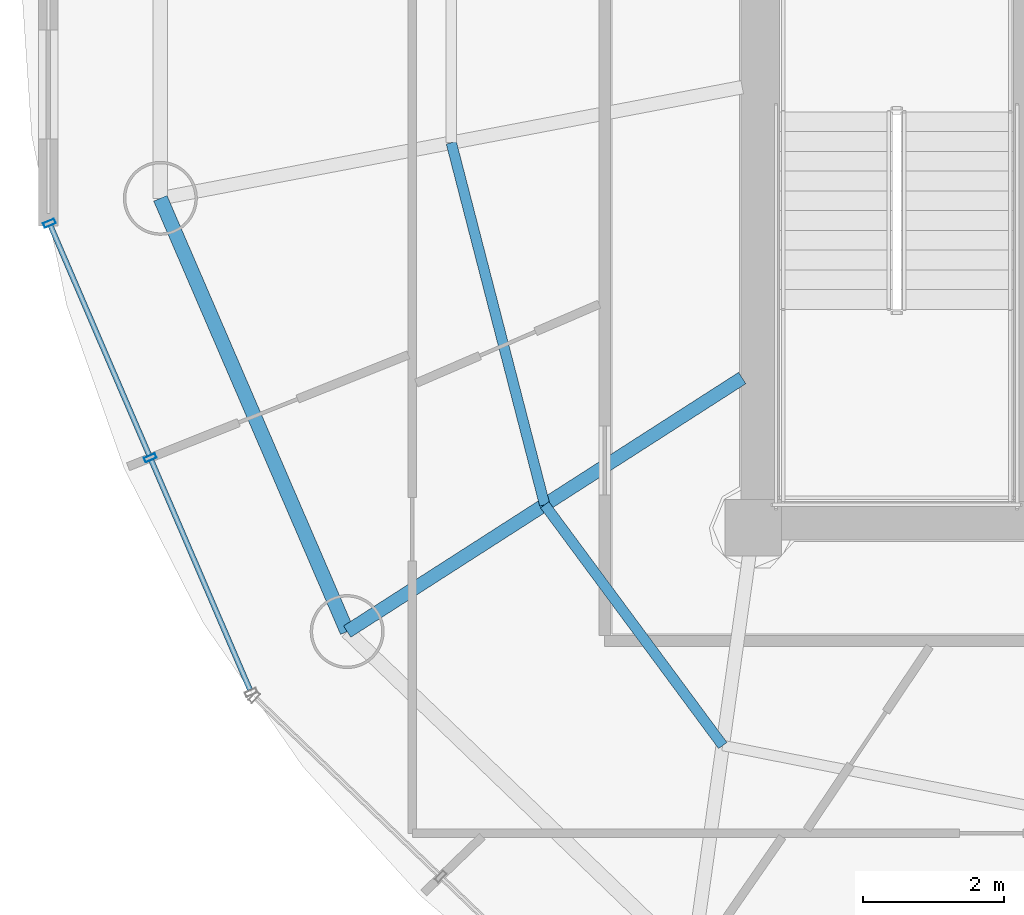
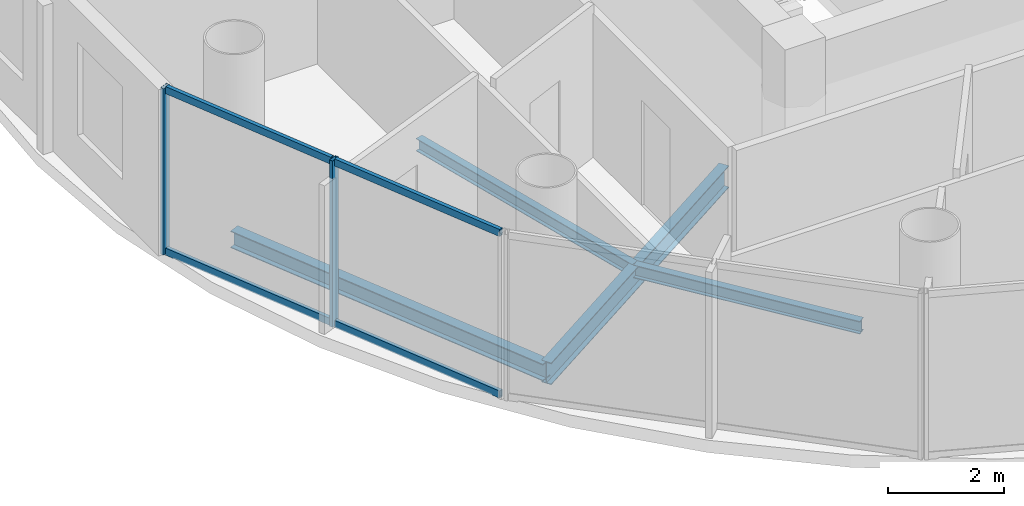
# One storey, part 4 of 23: 6 members, 4 beams, 1 element without a shape of its own.
"""IFC4 building model written with IfcOpenShell, lengths in metres."""

import ifcopenshell
import ifcopenshell.guid

model = None  # the IFC model being written
_history = None  # IfcOwnerHistory: only IFC2X3 demands one
_inside = {}  # id of a spatial element -> (the spatial element, [elements in it])
_under = {}  # id of a project, library or spatial element -> (it, [spatial elements below it])
_declared = {}  # id of a project -> (the project, [libraries it declares])
_typed = {}  # id of a type object -> (the type object, [elements of that type])
_made_of = {}  # id of a material, layer set ... -> (it, [elements and type objects made of it])


def new_model(schema):
    """Start an empty IFC model of exactly this schema.

    Asked for "IFC4X3", IfcOpenShell would pick the latest addendum, in which some entities
    have other attributes; the version numbers below select the first issue.
    IFC2X3 requires an IfcOwnerHistory on every rooted entity: one is made here for all.
    """
    global model, _history
    if schema == "IFC4X3":
        model = ifcopenshell.file(schema_version=(4, 3, 0, 0))
    else:
        model = ifcopenshell.file(schema=schema)
    _inside.clear()
    _under.clear()
    _declared.clear()
    _typed.clear()
    _made_of.clear()
    _history = None
    if model.schema == "IFC2X3":
        org = make("IfcOrganization", Name="unknown")
        user = make(
            "IfcPersonAndOrganization",
            ThePerson=make("IfcPerson", FamilyName="unknown"),
            TheOrganization=org,
        )
        app = make(
            "IfcApplication",
            ApplicationDeveloper=org,
            Version="unknown",
            ApplicationFullName="unknown",
            ApplicationIdentifier="unknown",
        )
        _history = make(
            "IfcOwnerHistory",
            OwningUser=user,
            OwningApplication=app,
            ChangeAction="ADDED",
            CreationDate=0,
        )
    return model


def make(cls, **values):
    """One entity of the class cls with the attributes given. An attribute that is None is left unset."""
    return model.create_entity(
        cls, **{name: value for name, value in values.items() if value is not None}
    )


def rooted(cls, **values):
    """An entity with a GlobalId (a new one), such as an element, a storey or a relation."""
    return make(cls, GlobalId=ifcopenshell.guid.new(), OwnerHistory=_history, **values)


def si_unit(unit_type, name, prefix=None):
    """IfcSIUnit, for example si_unit("LENGTHUNIT", "METRE", prefix="MILLI")."""
    return make("IfcSIUnit", UnitType=unit_type, Prefix=prefix, Name=name)


def assignment(units):
    """IfcUnitAssignment: the units of a project."""
    return None if units is None else make("IfcUnitAssignment", Units=units)


def point(xyz):
    """IfcCartesianPoint."""
    return None if xyz is None else make("IfcCartesianPoint", Coordinates=xyz)


def direction(xyz):
    """IfcDirection."""
    return None if xyz is None else make("IfcDirection", DirectionRatios=xyz)


def frame(location, z_axis=None, x_axis=None):
    """IfcAxis2Placement3D, a coordinate frame: its origin and axes. An axis left out is left unset."""
    return make(
        "IfcAxis2Placement3D",
        Location=point(location),
        Axis=direction(z_axis),
        RefDirection=direction(x_axis),
    )


def frame_2d(location, x_axis=None):
    """IfcAxis2Placement2D, a coordinate frame in the plane: its origin and x axis."""
    return make(
        "IfcAxis2Placement2D", Location=point(location), RefDirection=direction(x_axis)
    )


def origin():
    """The frame at (0, 0, 0) with its axes left unset."""
    return frame((0.0, 0.0, 0.0))


def origin_2d():
    """The frame at (0, 0) in the plane with its x axis left unset."""
    return frame_2d((0.0, 0.0))


def place(relative_to, where):
    """IfcLocalPlacement: puts the frame where relative to a parent placement (None: the world)."""
    return make(
        "IfcLocalPlacement", PlacementRelTo=relative_to, RelativePlacement=where
    )


def context(
    kind, dimensions, precision=None, world=None, true_north=None, identifier=None
):
    """IfcGeometricRepresentationContext, for example the 3D "Model" context."""
    return make(
        "IfcGeometricRepresentationContext",
        ContextIdentifier=identifier,
        ContextType=kind,
        CoordinateSpaceDimension=dimensions,
        Precision=precision,
        WorldCoordinateSystem=world,
        TrueNorth=true_north,
    )


def subcontext(parent, identifier, kind, view, scale=None):
    """IfcGeometricRepresentationSubContext, for example "Body" below "Model"."""
    return make(
        "IfcGeometricRepresentationSubContext",
        ContextIdentifier=identifier,
        ContextType=kind,
        ParentContext=parent,
        TargetScale=scale,
        TargetView=view,
    )


def project(units=None, contexts=None):
    """IfcProject with its units and contexts."""
    return rooted(
        "IfcProject",
        Name="project",
        RepresentationContexts=contexts,
        UnitsInContext=assignment(units),
    )


def spatial(cls, under=None, at=None, **own):
    """A site, building, storey or space (cls), placed at a placement, below another one or the project."""
    s = rooted(cls, ObjectPlacement=at, **own)
    if under is not None:
        _under.setdefault(under.id(), (under, []))[1].append(s)
    return s


def profile(cls, at=None, kind="AREA", **sizes):
    """A parametric profile (cls). Its sizes go by their IFC names, for example OverallWidth=200.0."""
    return make(cls, ProfileType=kind, Position=at, **sizes)


def hollow_rectangle(**sizes):
    """IfcRectangleHollowProfileDef."""
    return profile("IfcRectangleHollowProfileDef", **sizes)


def i_section(**sizes):
    """IfcIShapeProfileDef."""
    return profile("IfcIShapeProfileDef", **sizes)


def extrude(swept, where, along, depth):
    """IfcExtrudedAreaSolid: the profile swept, set in the frame where, extruded along a direction by depth."""
    return make(
        "IfcExtrudedAreaSolid",
        SweptArea=swept,
        Position=where,
        ExtrudedDirection=direction(along),
        Depth=depth,
    )


def shape(context_of_items, identifier, shape_type, items):
    """IfcShapeRepresentation: the items that make up one representation, for example the "Body"."""
    return make(
        "IfcShapeRepresentation",
        ContextOfItems=context_of_items,
        RepresentationIdentifier=identifier,
        RepresentationType=shape_type,
        Items=items,
    )


def source(mapping_origin, context_of_items, identifier, shape_type, items):
    """IfcRepresentationMap: a shape defined once, which mapped items show again and again."""
    return make(
        "IfcRepresentationMap",
        MappingOrigin=mapping_origin,
        MappedRepresentation=shape(context_of_items, identifier, shape_type, items),
    )


def transform(
    local_origin,
    x_axis=None,
    y_axis=None,
    z_axis=None,
    scale=None,
    scale2=None,
    scale3=None,
    uniform=True,
):
    """IfcCartesianTransformationOperator3D, or its non-uniform kind. x_axis, y_axis, z_axis: its Axis1, 2, 3."""
    if uniform:
        return make(
            "IfcCartesianTransformationOperator3D",
            Axis1=direction(x_axis),
            Axis2=direction(y_axis),
            LocalOrigin=point(local_origin),
            Scale=scale,
            Axis3=direction(z_axis),
        )
    return make(
        "IfcCartesianTransformationOperator3DnonUniform",
        Axis1=direction(x_axis),
        Axis2=direction(y_axis),
        LocalOrigin=point(local_origin),
        Scale=scale,
        Axis3=direction(z_axis),
        Scale2=scale2,
        Scale3=scale3,
    )


def mapped(mapping_source, mapping_target):
    """IfcMappedItem: shows the shape of a source again, moved by a transform."""
    return make(
        "IfcMappedItem", MappingSource=mapping_source, MappingTarget=mapping_target
    )


def material(Name=None, Category=None):
    """IfcMaterial."""
    return make("IfcMaterial", Name=Name, Category=Category)


def material_profile(
    of_material, cross_section, Name=None, Category=None, Priority=None
):
    """IfcMaterialProfile: a cross section and its material."""
    return make(
        "IfcMaterialProfile",
        Name=Name,
        Material=of_material,
        Profile=cross_section,
        Priority=Priority,
        Category=Category,
    )


def profile_set(profiles, Name=None, composite=None):
    """IfcMaterialProfileSet."""
    return make(
        "IfcMaterialProfileSet",
        Name=Name,
        MaterialProfiles=profiles,
        CompositeProfile=composite,
    )


def made_of(thing, what):
    """Note that an element or type object is made of a material, layer set ...; save() writes the relation."""
    if what is not None:
        _made_of.setdefault(what.id(), (what, []))[1].append(thing)
    return thing


def type_object(cls, material=None, **own):
    """A type object (cls), such as IfcWallType, which elements share."""
    return made_of(rooted(cls, **own), material)


def element(
    cls,
    number,
    at=None,
    inside=None,
    cuts=None,
    type_object=None,
    material=None,
    context=None,
    identifier="Body",
    shape_type=None,
    held_by="IfcProductDefinitionShape",
    body=None,
    shapes=None,
    **own,
):
    """One element of the class cls, such as IfcWall. Its Tag is "e" and its number.

    at: its placement. inside: the storey or other place that contains it. cuts: it is an
    opening in that element (IfcRelVoidsElement). A single representation is given by context,
    identifier, shape_type and body (its items); several are given by shapes. held_by: the class
    of the entity that holds the representations. save() writes the other relations.
    """
    e = rooted(cls, Tag="e%d" % number, ObjectPlacement=at, **own)
    if body is not None:
        shapes = [shape(context, identifier, shape_type, body)]
    if shapes is not None:
        e.Representation = make(held_by, Representations=shapes)
    if inside is not None:
        _inside.setdefault(inside.id(), (inside, []))[1].append(e)
    if cuts is not None:
        rooted(
            "IfcRelVoidsElement", RelatingBuildingElement=cuts, RelatedOpeningElement=e
        )
    if type_object is not None:
        _typed.setdefault(type_object.id(), (type_object, []))[1].append(e)
    return made_of(e, material)


def aggregate(whole, parts):
    """IfcRelAggregates: a whole, such as a stair, and the parts it consists of."""
    return rooted("IfcRelAggregates", RelatingObject=whole, RelatedObjects=parts)


def save(model, path):
    """Write the relations noted so far, then the file.

    IfcRelAggregates (storeys below a building ...), IfcRelContainedInSpatialStructure (elements
    in a storey), IfcRelDefinesByType, IfcRelAssociatesMaterial and IfcRelDeclares: one each for
    every whole, place, type object, material and project.
    """
    for whole, parts in _under.values():
        aggregate(whole, parts)
    for where, things in _inside.values():
        rooted(
            "IfcRelContainedInSpatialStructure",
            RelatedElements=things,
            RelatingStructure=where,
        )
    for kind, things in _typed.values():
        rooted("IfcRelDefinesByType", RelatedObjects=things, RelatingType=kind)
    for what, things in _made_of.values():
        rooted("IfcRelAssociatesMaterial", RelatedObjects=things, RelatingMaterial=what)
    for by, libraries in _declared.values():
        rooted("IfcRelDeclares", RelatingContext=by, RelatedDefinitions=libraries)
    model.write(path)


model = new_model("IFC4")

# Units and contexts
model_context = context("Model", 3, precision=1e-05, world=origin(), true_north=direction((-0.2419218956, 0.970295726276)))
body_context = subcontext(model_context, "Body", "Model", "MODEL_VIEW")
ifc_project = project(units=[si_unit("LENGTHUNIT", "METRE"), si_unit("AREAUNIT", "SQUARE_METRE"), si_unit("VOLUMEUNIT", "CUBIC_METRE"), si_unit("PLANEANGLEUNIT", "RADIAN"), si_unit("MASSUNIT", "GRAM", prefix="KILO")], contexts=[model_context])

# Site, building, storey
site_placement = place(None, origin())
site = spatial("IfcSite", under=ifc_project, at=site_placement, CompositionType="ELEMENT")
building_placement = place(site_placement, origin())
building = spatial("IfcBuilding", under=site, at=building_placement, Name="Cobrevalo Terracotta Tower", CompositionType="ELEMENT")
storey_placement = place(building_placement, frame((0.0, 0.0, 263.199951171875)))
storey = spatial("IfcBuildingStorey", under=building, at=storey_placement, Name="L69", CompositionType="ELEMENT", Elevation=263.199951171875)

# Beams
ifc_material_1 = material(Name="Steel S355", Category="steel")
ifc_material_profile_1 = material_profile(ifc_material_1, i_section(OverallWidth=0.19091796875, OverallDepth=0.4599609375, WebThickness=0.010009765625, FlangeThickness=0.01611328125, at=origin_2d()), Name="W 460x82")
ifc_profile_set_1 = profile_set([ifc_material_profile_1], Name="Steel S355")
beam_type_1 = type_object("IfcBeamType", Name="Structural Beam W 460x82 (Steel S355)", PredefinedType="BEAM", material=ifc_profile_set_1)
beam_1_placement = place(storey_placement, frame((23.241455078125, 17.32763671875, -0.489990234375), z_axis=(0.84157615512, 0.540138477739, 0.0), x_axis=(-0.540138477739, 0.84157615512, 0.0)))
element("IfcBeam", 1, at=beam_1_placement, inside=storey, type_object=beam_type_1, Name="L69 radial floor girder 10", PredefinedType="BEAM", context=body_context, shape_type="SweptSolid", body=[
    extrude(i_section(OverallWidth=0.19091796875, OverallDepth=0.4599609375, WebThickness=0.010009765625, FlangeThickness=0.01611328125, at=origin_2d()), origin(), (0.0, 0.0, 1.0), 6.658447265625),
])
ifc_material_profile_2 = material_profile(ifc_material_1, i_section(OverallWidth=0.14794921875, OverallDepth=0.26611328125, WebThickness=0.007568359375, FlangeThickness=0.012939453125, at=origin_2d()), Name="W 250x44.8")
ifc_profile_set_2 = profile_set([ifc_material_profile_2], Name="Steel S355")
beam_type_2 = type_object("IfcBeamType", Name="Structural Joist W 250x44.8 (Steel S355)", PredefinedType="JOIST", material=ifc_profile_set_2)
beam_2_placement = place(storey_placement, frame((24.718017578125, 24.26220703125, -0.39306640625), z_axis=(0.249816773293, -0.968293126993, 0.0), x_axis=(0.968293126993, 0.249816773293, 0.0)))
element("IfcBeam", 2, at=beam_2_placement, inside=storey, type_object=beam_type_2, Name="L69 circumferential secondary floor joist 09", PredefinedType="JOIST", context=body_context, shape_type="SweptSolid", body=[
    extrude(i_section(OverallWidth=0.14794921875, OverallDepth=0.26611328125, WebThickness=0.007568359375, FlangeThickness=0.012939453125, at=origin_2d()), origin(), (0.0, 0.0, 1.0), 5.3046875),
])
beam_3_placement = place(storey_placement, frame((26.043212890625, 19.125732421875, -0.39306640625), z_axis=(0.594799916617, -0.803873783123, 0.0), x_axis=(0.803873783123, 0.594799916617, 0.0)))
element("IfcBeam", 3, at=beam_3_placement, inside=storey, type_object=beam_type_2, Name="L69 circumferential secondary floor joist 10", PredefinedType="JOIST", context=body_context, shape_type="SweptSolid", body=[
    extrude(i_section(OverallWidth=0.14794921875, OverallDepth=0.26611328125, WebThickness=0.007568359375, FlangeThickness=0.012939453125, at=origin_2d()), origin(), (0.0, 0.0, 1.0), 4.2470703125),
])
ifc_material_profile_3 = material_profile(ifc_material_1, i_section(OverallWidth=0.205078125, OverallDepth=0.35400390625, WebThickness=0.009521484375, FlangeThickness=0.016845703125, at=origin_2d()), Name="W 360x79")
ifc_profile_set_3 = profile_set([ifc_material_profile_3], Name="Steel S355")
beam_type_3 = type_object("IfcBeamType", Name="Structural Spandrel W 360x79 (Steel S355)", PredefinedType="SPANDREL", material=ifc_profile_set_3)
beam_4_placement = place(storey_placement, frame((20.591064453125, 23.4736328125, -0.43701171875), z_axis=(0.395987390706, -0.918255948198, 0.0), x_axis=(0.918255948198, 0.395987390706, 0.0)))
element("IfcBeam", 4, at=beam_4_placement, inside=storey, type_object=beam_type_3, Name="L69 perimeter ring spandrel 09", PredefinedType="SPANDREL", context=body_context, shape_type="SweptSolid", body=[
    extrude(i_section(OverallWidth=0.205078125, OverallDepth=0.35400390625, WebThickness=0.009521484375, FlangeThickness=0.016845703125, at=origin_2d()), origin(), (0.0, 0.0, 1.0), 6.693115234375),
])

# Curtain wall, members
ifc_material_2 = material(Name="Anodized aluminium", Category="aluminium")
curtain_wall_type = type_object("IfcCurtainWallType", Name="Upper-tower triple-glazed penthouse curtain wall CW-U3", PredefinedType="NOTDEFINED", material=ifc_material_2)
curtain_wall_placement = place(storey_placement, origin())
curtain_wall = element("IfcCurtainWall", 5, at=curtain_wall_placement, inside=storey, type_object=curtain_wall_type, Name="L69 curtain wall CW-L69-S09", PredefinedType="NOTDEFINED")
ifc_material_profile_4 = material_profile(ifc_material_2, hollow_rectangle(XDim=0.070068359375, YDim=0.169921875, WallThickness=0.00439453125, at=origin_2d()), Name="CWM 70x170")
ifc_profile_set_4 = profile_set([ifc_material_profile_4], Name="Anodized aluminium")
member_type_1 = type_object("IfcMemberType", Name="Upper tower unitised mullion 70x170", PredefinedType="MULLION", material=ifc_profile_set_4)
shared_shape_1 = source(origin(), body_context, "Body", "SweptSolid", [
    extrude(hollow_rectangle(XDim=0.070068359375, YDim=0.169921875, WallThickness=0.00439453125, at=origin_2d()), origin(), (0.0, 0.0, 1.0), 3.489990234375),
])
member_1_placement = place(storey_placement, frame((19.01806640625, 23.120849609375, 0.0), z_axis=(0.0, 0.0, 1.0), x_axis=(0.39482403454, -0.91875675875, 0.0)))
member_1 = element("IfcMember", 6, at=member_1_placement, type_object=member_type_1, Name="CW-L69-S09 vertical mullion 01", PredefinedType="MULLION", context=body_context, shape_type="MappedRepresentation", body=[
    mapped(shared_shape_1, transform((0.0, 0.0, 0.0), scale=1.0)),
])
member_2_placement = place(storey_placement, frame((20.4482421875, 19.79248046875, 0.0), z_axis=(0.0, 0.0, 1.0), x_axis=(0.39482403454, -0.91875675875, 0.0)))
member_2 = element("IfcMember", 7, at=member_2_placement, type_object=member_type_1, Name="CW-L69-S09 vertical mullion 02", PredefinedType="MULLION", context=body_context, shape_type="MappedRepresentation", body=[
    mapped(shared_shape_1, transform((0.0, 0.0, 0.0), scale=1.0)),
])
ifc_material_profile_5 = material_profile(ifc_material_2, hollow_rectangle(XDim=0.074951171875, YDim=0.14990234375, WallThickness=0.00439453125, at=origin_2d()), Name="CWT 75x150")
ifc_profile_set_5 = profile_set([ifc_material_profile_5], Name="Anodized aluminium")
member_type_2 = type_object("IfcMemberType", Name="Tower unitised aluminium transom 75x150", PredefinedType="USERDEFINED", material=ifc_profile_set_5)
shared_shape_2 = source(origin(), body_context, "Body", "SweptSolid", [
    extrude(hollow_rectangle(XDim=0.074951171875, YDim=0.14990234375, WallThickness=0.00439453125, at=origin_2d()), origin(), (0.0, 0.0, 1.0), 3.542724609375),
])
member_3_placement = place(storey_placement, frame((19.03369140625, 23.084228515625, 0.050048828125), z_axis=(0.394867226589, -0.918738196314, 0.0), x_axis=(0.918738196314, 0.394867226589, 0.0)))
member_3 = element("IfcMember", 8, at=member_3_placement, type_object=member_type_2, Name="CW-L69-S09 transom B01-T1", ObjectType="TRANSOM", PredefinedType="USERDEFINED", context=body_context, shape_type="MappedRepresentation", body=[
    mapped(shared_shape_2, transform((0.0, 0.0, 0.0), scale=1.0)),
])
member_4_placement = place(storey_placement, frame((19.03369140625, 23.084228515625, 3.43994140625), z_axis=(0.394867226589, -0.918738196314, 0.0), x_axis=(0.918738196314, 0.394867226589, 0.0)))
member_4 = element("IfcMember", 9, at=member_4_placement, type_object=member_type_2, Name="CW-L69-S09 transom B01-T2", ObjectType="TRANSOM", PredefinedType="USERDEFINED", context=body_context, shape_type="MappedRepresentation", body=[
    mapped(shared_shape_2, transform((0.0, 0.0, 0.0), scale=1.0)),
])
member_5_placement = place(storey_placement, frame((20.464111328125, 19.755859375, 0.050048828125), z_axis=(0.394809056766, -0.918763195114, 0.0), x_axis=(0.918763195114, 0.394809056766, 0.0)))
member_5 = element("IfcMember", 10, at=member_5_placement, type_object=member_type_2, Name="CW-L69-S09 transom B02-T1", ObjectType="TRANSOM", PredefinedType="USERDEFINED", context=body_context, shape_type="MappedRepresentation", body=[
    mapped(shared_shape_2, transform((0.0, 0.0, 0.0), scale=1.0)),
])
member_6_placement = place(storey_placement, frame((20.464111328125, 19.755859375, 3.43994140625), z_axis=(0.394809056766, -0.918763195114, 0.0), x_axis=(0.918763195114, 0.394809056766, 0.0)))
member_6 = element("IfcMember", 11, at=member_6_placement, type_object=member_type_2, Name="CW-L69-S09 transom B02-T2", ObjectType="TRANSOM", PredefinedType="USERDEFINED", context=body_context, shape_type="MappedRepresentation", body=[
    mapped(shared_shape_2, transform((0.0, 0.0, 0.0), scale=1.0)),
])
aggregate(curtain_wall, [member_1, member_2, member_3, member_4, member_5, member_6])

save(model, "model.ifc")
